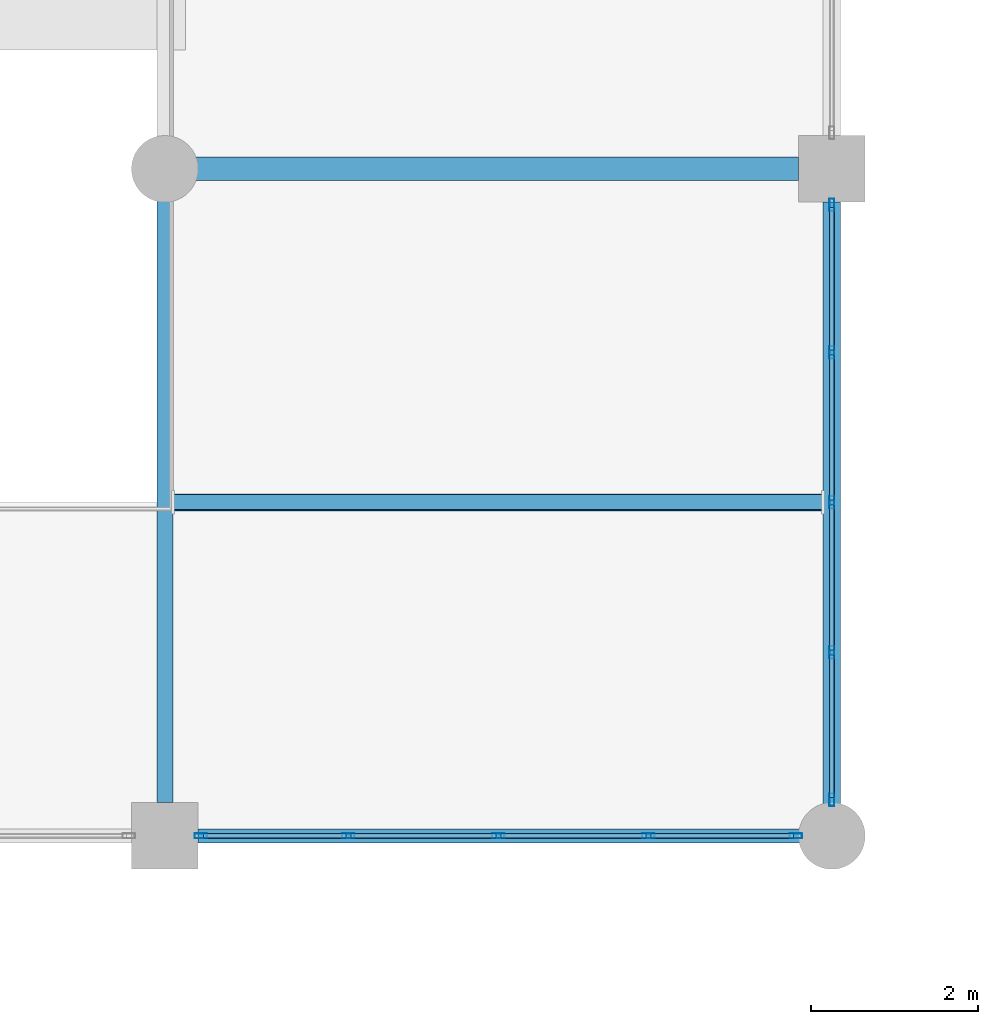
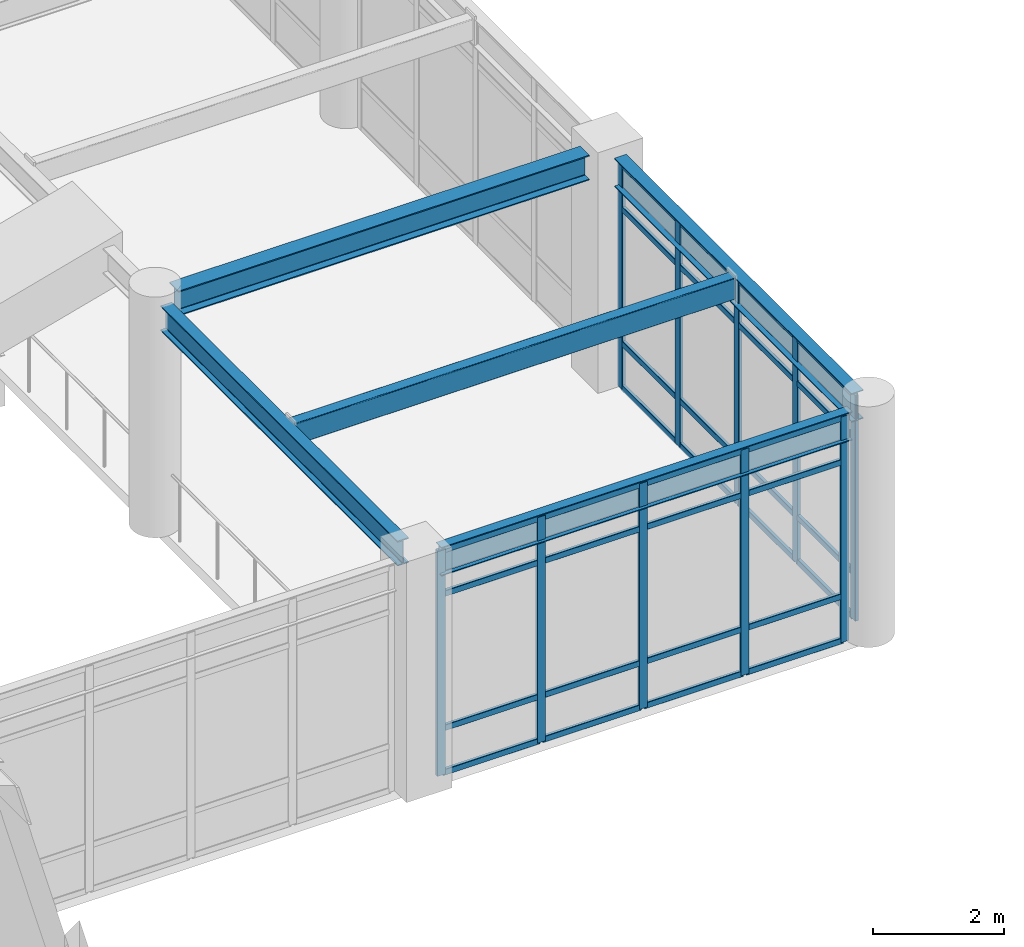
# One storey, part 29 of 93: 42 members, 5 beams, 2 elements without a shape of their own.
"""IFC4 building model written with IfcOpenShell, lengths in metres."""

from ifc_helpers import new_model, si_unit, direction, frame, origin, origin_2d, place, context, subcontext, project, spatial, hollow_rectangle, i_section, extrude, material, material_profile, profile_set, type_object, element, aggregate, save


model = new_model("IFC4")

# Units and contexts
model_context = context("Model", 3, precision=1e-05, world=origin(), true_north=direction((0.0, 1.0)))
body_context = subcontext(model_context, "Body", "Model", "MODEL_VIEW")
ifc_project = project(units=[si_unit("LENGTHUNIT", "METRE"), si_unit("AREAUNIT", "SQUARE_METRE"), si_unit("VOLUMEUNIT", "CUBIC_METRE"), si_unit("PLANEANGLEUNIT", "RADIAN"), si_unit("MASSUNIT", "GRAM", prefix="KILO")], contexts=[model_context])

# Site, building, storey
site_placement = place(None, origin())
site = spatial("IfcSite", under=ifc_project, at=site_placement, CompositionType="ELEMENT")
building_placement = place(site_placement, origin())
building = spatial("IfcBuilding", under=site, at=building_placement, Name="Solmirada Galleria", CompositionType="ELEMENT")
storey_placement = place(building_placement, frame((0.0, 0.0, 14.89990234375)))
storey = spatial("IfcBuildingStorey", under=building, at=storey_placement, Name="L03", CompositionType="ELEMENT", Elevation=14.89990234375)

# Beams
ifc_material_1 = material(Name="Steel S355 / ASTM A992 Grade 50", Category="steel")
ifc_material_profile_1 = material_profile(ifc_material_1, i_section(OverallWidth=0.281982421875, OverallDepth=0.467041015625, WebThickness=0.01220703125, FlangeThickness=0.01953125, FilletRadius=0.013916015625, at=origin_2d()), Name="W18X86")
ifc_profile_set_1 = profile_set([ifc_material_profile_1], Name="Steel S355 / ASTM A992 Grade 50")
beam_type_1 = type_object("IfcBeamType", Name="BM-GIRD-W18A", PredefinedType="BEAM", material=ifc_profile_set_1)
beam_1_placement = place(storey_placement, frame((104.3359375, 56.0, 4.066650390625), z_axis=(1.0, 0.0, 0.0), x_axis=(0.0, 1.0, 0.0)))
element("IfcBeam", 1, at=beam_1_placement, inside=storey, type_object=beam_type_1, Name="Primary beam L04 X(104..112, 56)", PredefinedType="BEAM", context=body_context, shape_type="SweptSolid", body=[
    extrude(i_section(OverallWidth=0.281982421875, OverallDepth=0.467041015625, WebThickness=0.01220703125, FlangeThickness=0.01953125, FilletRadius=0.013916015625, at=origin_2d()), origin(), (0.0, 0.0, 1.0), 7.26416015625),
])
ifc_material_profile_2 = material_profile(ifc_material_1, i_section(OverallWidth=0.194091796875, OverallDepth=0.468994140625, WebThickness=0.0126953125, FlangeThickness=0.0205078125, FilletRadius=0.013916015625, at=origin_2d()), Name="W18X71")
ifc_profile_set_2 = profile_set([ifc_material_profile_2], Name="Steel S355 / ASTM A992 Grade 50")
beam_type_2 = type_object("IfcBeamType", Name="BM-GIRD-W18B", PredefinedType="BEAM", material=ifc_profile_set_2)
beam_2_placement = place(storey_placement, frame((104.0, 48.39990234375, 4.065673828125), z_axis=(0.0, 1.0, 0.0), x_axis=(-1.0, 0.0, 0.0)))
element("IfcBeam", 2, at=beam_2_placement, inside=storey, type_object=beam_type_2, Name="Primary girder L04 Y(104, 48..56)", PredefinedType="BEAM", context=body_context, shape_type="SweptSolid", body=[
    extrude(i_section(OverallWidth=0.194091796875, OverallDepth=0.468994140625, WebThickness=0.0126953125, FlangeThickness=0.0205078125, FilletRadius=0.013916015625, at=origin_2d()), origin(), (0.0, 0.0, 1.0), 7.26416015625),
])
ifc_material_profile_3 = material_profile(ifc_material_1, i_section(OverallWidth=0.2099609375, OverallDepth=0.537109375, WebThickness=0.010986328125, FlangeThickness=0.017333984375, FilletRadius=0.014892578125, at=origin_2d()), Name="W21X68")
ifc_profile_set_3 = profile_set([ifc_material_profile_3], Name="Steel S355 / ASTM A992 Grade 50")
beam_type_3 = type_object("IfcBeamType", Name="BM-GIRD-W21B", PredefinedType="BEAM", material=ifc_profile_set_3)
beam_3_placement = place(storey_placement, frame((112.0, 48.3359375, 4.031494140625), z_axis=(0.0, 1.0, 0.0), x_axis=(-1.0, 0.0, 0.0)))
element("IfcBeam", 3, at=beam_3_placement, inside=storey, type_object=beam_type_3, Name="Primary girder L04 Y(112, 48..56)", PredefinedType="BEAM", context=body_context, shape_type="SweptSolid", body=[
    extrude(i_section(OverallWidth=0.2099609375, OverallDepth=0.537109375, WebThickness=0.010986328125, FlangeThickness=0.017333984375, FilletRadius=0.014892578125, at=origin_2d()), origin(), (0.0, 0.0, 1.0), 7.26416015625),
])
ifc_material_profile_4 = material_profile(ifc_material_1, i_section(OverallWidth=0.1669921875, OverallDepth=0.534912109375, WebThickness=0.01025390625, FlangeThickness=0.0166015625, FilletRadius=0.013916015625, at=origin_2d()), Name="W21X57")
ifc_profile_set_4 = profile_set([ifc_material_profile_4], Name="Steel S355 / ASTM A992 Grade 50")
beam_type_4 = type_object("IfcBeamType", Name="BM-GIRD-W21C", PredefinedType="BEAM", material=ifc_profile_set_4)
beam_4_placement = place(storey_placement, frame((104.39990234375, 48.0, 4.03271484375), z_axis=(1.0, 0.0, 0.0), x_axis=(0.0, 1.0, 0.0)))
element("IfcBeam", 4, at=beam_4_placement, inside=storey, type_object=beam_type_4, Name="Primary beam L04 X(104..112, 48)", PredefinedType="BEAM", context=body_context, shape_type="SweptSolid", body=[
    extrude(i_section(OverallWidth=0.1669921875, OverallDepth=0.534912109375, WebThickness=0.01025390625, FlangeThickness=0.0166015625, FilletRadius=0.013916015625, at=origin_2d()), origin(), (0.0, 0.0, 1.0), 7.26416015625),
])
ifc_material_2 = material(Name="Steel S355 / ASTM A500 Grade C", Category="steel")
ifc_material_profile_5 = material_profile(ifc_material_2, hollow_rectangle(XDim=0.202880859375, YDim=0.406005859375, WallThickness=0.01171875, InnerFilletRadius=0.01171875, OuterFilletRadius=0.023681640625, at=origin_2d()), Name="HSS16X8X1/2")
ifc_profile_set_5 = profile_set([ifc_material_profile_5], Name="Steel S355 / ASTM A500 Grade C")
beam_type_5 = type_object("IfcBeamType", Name="BM-JST-W16B", PredefinedType="JOIST", material=ifc_profile_set_5)
beam_5_placement = place(storey_placement, frame((104.096923828125, 52.0, 4.09716796875), z_axis=(1.0, 0.0, 0.0), x_axis=(0.0, 1.0, 0.0)))
element("IfcBeam", 5, at=beam_5_placement, inside=storey, type_object=beam_type_5, Name="Composite floor joist L04 (104..112, 52.0)", PredefinedType="JOIST", context=body_context, shape_type="SweptSolid", body=[
    extrude(hollow_rectangle(XDim=0.202880859375, YDim=0.406005859375, WallThickness=0.01171875, InnerFilletRadius=0.01171875, OuterFilletRadius=0.023681640625, at=origin_2d()), origin(), (0.0, 0.0, 1.0), 7.798095703125),
])

# Curtain wall, members
ifc_material_3 = material(Name="Impact-resistant low-E double glazing", Category="glass")
curtain_wall_type = type_object("IfcCurtainWallType", Name="CW-FZ3-L03-B4-L072", PredefinedType="NOTDEFINED", material=ifc_material_3)
curtain_wall_1_placement = place(storey_placement, origin())
curtain_wall_1 = element("IfcCurtainWall", 6, at=curtain_wall_1_placement, inside=storey, type_object=curtain_wall_type, Name="Terrace and arcade storefront CW-L03-133", PredefinedType="NOTDEFINED")
ifc_material_4 = material(Name="Anodised aluminium framing", Category="aluminium")
ifc_material_profile_6 = material_profile(ifc_material_4, hollow_rectangle(XDim=0.06005859375, YDim=0.14990234375, WallThickness=0.00341796875, InnerFilletRadius=0.00341796875, OuterFilletRadius=0.007080078125, at=origin_2d()), Name="ALU-MULL-150X60")
ifc_profile_set_6 = profile_set([ifc_material_profile_6], Name="Anodised aluminium framing")
member_type_1 = type_object("IfcMemberType", Name="CW-MULL-150", PredefinedType="MULLION", material=ifc_profile_set_6)
member_1_placement = place(storey_placement, frame((112.0, 55.568115234375, 0.0), z_axis=(0.0, 0.0, 1.0), x_axis=(1.0, 0.0, 0.0)))
member_1 = element("IfcMember", 7, at=member_1_placement, type_object=member_type_1, Name="CW27 mullion 1", PredefinedType="MULLION", context=body_context, shape_type="SweptSolid", body=[
    extrude(hollow_rectangle(XDim=0.06005859375, YDim=0.14990234375, WallThickness=0.00341796875, InnerFilletRadius=0.00341796875, OuterFilletRadius=0.007080078125, at=origin_2d()), origin(), (0.0, 0.0, 1.0), 4.22021484375),
])
member_2_placement = place(storey_placement, frame((112.0, 53.799072265625, 0.0), z_axis=(0.0, 0.0, 1.0), x_axis=(1.0, 0.0, 0.0)))
member_2 = element("IfcMember", 8, at=member_2_placement, type_object=member_type_1, Name="CW27 mullion 2", PredefinedType="MULLION", context=body_context, shape_type="SweptSolid", body=[
    extrude(hollow_rectangle(XDim=0.06005859375, YDim=0.14990234375, WallThickness=0.00341796875, InnerFilletRadius=0.00341796875, OuterFilletRadius=0.007080078125, at=origin_2d()), origin(), (0.0, 0.0, 1.0), 4.22021484375),
])
member_3_placement = place(storey_placement, frame((112.0, 52.0, 0.0), z_axis=(0.0, 0.0, 1.0), x_axis=(1.0, 0.0, 0.0)))
member_3 = element("IfcMember", 9, at=member_3_placement, type_object=member_type_1, Name="CW27 mullion 3", PredefinedType="MULLION", context=body_context, shape_type="SweptSolid", body=[
    extrude(hollow_rectangle(XDim=0.06005859375, YDim=0.14990234375, WallThickness=0.00341796875, InnerFilletRadius=0.00341796875, OuterFilletRadius=0.007080078125, at=origin_2d()), origin(), (0.0, 0.0, 1.0), 4.22021484375),
])
member_4_placement = place(storey_placement, frame((112.0, 50.200927734375, 0.0), z_axis=(0.0, 0.0, 1.0), x_axis=(1.0, 0.0, 0.0)))
member_4 = element("IfcMember", 10, at=member_4_placement, type_object=member_type_1, Name="CW27 mullion 4", PredefinedType="MULLION", context=body_context, shape_type="SweptSolid", body=[
    extrude(hollow_rectangle(XDim=0.06005859375, YDim=0.14990234375, WallThickness=0.00341796875, InnerFilletRadius=0.00341796875, OuterFilletRadius=0.007080078125, at=origin_2d()), origin(), (0.0, 0.0, 1.0), 4.22021484375),
])
member_5_placement = place(storey_placement, frame((112.0, 48.431884765625, 0.0), z_axis=(0.0, 0.0, 1.0), x_axis=(1.0, 0.0, 0.0)))
member_5 = element("IfcMember", 11, at=member_5_placement, type_object=member_type_1, Name="CW27 mullion 5", PredefinedType="MULLION", context=body_context, shape_type="SweptSolid", body=[
    extrude(hollow_rectangle(XDim=0.06005859375, YDim=0.14990234375, WallThickness=0.00341796875, InnerFilletRadius=0.00341796875, OuterFilletRadius=0.007080078125, at=origin_2d()), origin(), (0.0, 0.0, 1.0), 4.22021484375),
])

curtain_wall_2_placement = place(storey_placement, origin())
curtain_wall_2 = element("IfcCurtainWall", 12, at=curtain_wall_2_placement, inside=storey, type_object=curtain_wall_type, Name="Terrace and arcade storefront CW-L03-134", PredefinedType="NOTDEFINED")
member_6_placement = place(storey_placement, frame((111.568115234375, 48.0, 0.0), z_axis=(0.0, 0.0, 1.0), x_axis=(0.0, -1.0, 0.0)))
member_6 = element("IfcMember", 13, at=member_6_placement, type_object=member_type_1, Name="CW27 mullion 1", PredefinedType="MULLION", context=body_context, shape_type="SweptSolid", body=[
    extrude(hollow_rectangle(XDim=0.06005859375, YDim=0.14990234375, WallThickness=0.00341796875, InnerFilletRadius=0.00341796875, OuterFilletRadius=0.007080078125, at=origin_2d()), origin(), (0.0, 0.0, 1.0), 4.22021484375),
])
member_7_placement = place(storey_placement, frame((109.799072265625, 48.0, 0.0), z_axis=(0.0, 0.0, 1.0), x_axis=(0.0, -1.0, 0.0)))
member_7 = element("IfcMember", 14, at=member_7_placement, type_object=member_type_1, Name="CW27 mullion 2", PredefinedType="MULLION", context=body_context, shape_type="SweptSolid", body=[
    extrude(hollow_rectangle(XDim=0.06005859375, YDim=0.14990234375, WallThickness=0.00341796875, InnerFilletRadius=0.00341796875, OuterFilletRadius=0.007080078125, at=origin_2d()), origin(), (0.0, 0.0, 1.0), 4.22021484375),
])
member_8_placement = place(storey_placement, frame((108.0, 48.0, 0.0), z_axis=(0.0, 0.0, 1.0), x_axis=(0.0, -1.0, 0.0)))
member_8 = element("IfcMember", 15, at=member_8_placement, type_object=member_type_1, Name="CW27 mullion 3", PredefinedType="MULLION", context=body_context, shape_type="SweptSolid", body=[
    extrude(hollow_rectangle(XDim=0.06005859375, YDim=0.14990234375, WallThickness=0.00341796875, InnerFilletRadius=0.00341796875, OuterFilletRadius=0.007080078125, at=origin_2d()), origin(), (0.0, 0.0, 1.0), 4.22021484375),
])
member_9_placement = place(storey_placement, frame((106.200927734375, 48.0, 0.0), z_axis=(0.0, 0.0, 1.0), x_axis=(0.0, -1.0, 0.0)))
member_9 = element("IfcMember", 16, at=member_9_placement, type_object=member_type_1, Name="CW27 mullion 4", PredefinedType="MULLION", context=body_context, shape_type="SweptSolid", body=[
    extrude(hollow_rectangle(XDim=0.06005859375, YDim=0.14990234375, WallThickness=0.00341796875, InnerFilletRadius=0.00341796875, OuterFilletRadius=0.007080078125, at=origin_2d()), origin(), (0.0, 0.0, 1.0), 4.22021484375),
])
member_10_placement = place(storey_placement, frame((104.431884765625, 48.0, 0.0), z_axis=(0.0, 0.0, 1.0), x_axis=(0.0, -1.0, 0.0)))
member_10 = element("IfcMember", 17, at=member_10_placement, type_object=member_type_1, Name="CW27 mullion 5", PredefinedType="MULLION", context=body_context, shape_type="SweptSolid", body=[
    extrude(hollow_rectangle(XDim=0.06005859375, YDim=0.14990234375, WallThickness=0.00341796875, InnerFilletRadius=0.00341796875, OuterFilletRadius=0.007080078125, at=origin_2d()), origin(), (0.0, 0.0, 1.0), 4.22021484375),
])

# Member
ifc_material_profile_7 = material_profile(ifc_material_4, hollow_rectangle(XDim=0.06005859375, YDim=0.110107421875, WallThickness=0.003173828125, InnerFilletRadius=0.003173828125, OuterFilletRadius=0.00634765625, at=origin_2d()), Name="ALU-TRAN-110X60")
ifc_profile_set_7 = profile_set([ifc_material_profile_7], Name="Anodised aluminium framing")
member_type_2 = type_object("IfcMemberType", Name="CW-TRAN-110", PredefinedType="USERDEFINED", material=ifc_profile_set_7)
member_11_placement = place(storey_placement, frame((112.0, 55.5380859375, 0.030029296875), z_axis=(0.0, -1.0, 0.0), x_axis=(1.0, 0.0, 0.0)))
member_11 = element("IfcMember", 18, at=member_11_placement, type_object=member_type_2, Name="CW27 transom 1.1", ObjectType="TRANSOM", PredefinedType="USERDEFINED", context=body_context, shape_type="SweptSolid", body=[
    extrude(hollow_rectangle(XDim=0.06005859375, YDim=0.110107421875, WallThickness=0.003173828125, InnerFilletRadius=0.003173828125, OuterFilletRadius=0.00634765625, at=origin_2d()), origin(), (0.0, 0.0, 1.0), 1.708984375),
])

member_12_placement = place(storey_placement, frame((112.0, 55.5380859375, 0.860107421875), z_axis=(0.0, -1.0, 0.0), x_axis=(1.0, 0.0, 0.0)))
member_12 = element("IfcMember", 19, at=member_12_placement, type_object=member_type_2, Name="CW27 transom 1.2", ObjectType="TRANSOM", PredefinedType="USERDEFINED", context=body_context, shape_type="SweptSolid", body=[
    extrude(hollow_rectangle(XDim=0.06005859375, YDim=0.110107421875, WallThickness=0.003173828125, InnerFilletRadius=0.003173828125, OuterFilletRadius=0.00634765625, at=origin_2d()), origin(), (0.0, 0.0, 1.0), 1.708984375),
])

member_13_placement = place(storey_placement, frame((112.0, 55.5380859375, 3.3701171875), z_axis=(0.0, -1.0, 0.0), x_axis=(1.0, 0.0, 0.0)))
member_13 = element("IfcMember", 20, at=member_13_placement, type_object=member_type_2, Name="CW27 transom 1.3", ObjectType="TRANSOM", PredefinedType="USERDEFINED", context=body_context, shape_type="SweptSolid", body=[
    extrude(hollow_rectangle(XDim=0.06005859375, YDim=0.110107421875, WallThickness=0.003173828125, InnerFilletRadius=0.003173828125, OuterFilletRadius=0.00634765625, at=origin_2d()), origin(), (0.0, 0.0, 1.0), 1.708984375),
])

member_14_placement = place(storey_placement, frame((112.0, 55.5380859375, 4.190185546875), z_axis=(0.0, -1.0, 0.0), x_axis=(1.0, 0.0, 0.0)))
member_14 = element("IfcMember", 21, at=member_14_placement, type_object=member_type_2, Name="CW27 transom 1.4", ObjectType="TRANSOM", PredefinedType="USERDEFINED", context=body_context, shape_type="SweptSolid", body=[
    extrude(hollow_rectangle(XDim=0.06005859375, YDim=0.110107421875, WallThickness=0.003173828125, InnerFilletRadius=0.003173828125, OuterFilletRadius=0.00634765625, at=origin_2d()), origin(), (0.0, 0.0, 1.0), 1.708984375),
])

member_15_placement = place(storey_placement, frame((112.0, 53.76904296875, 0.030029296875), z_axis=(0.0, -1.0, 0.0), x_axis=(1.0, 0.0, 0.0)))
member_15 = element("IfcMember", 22, at=member_15_placement, type_object=member_type_2, Name="CW27 transom 2.1", ObjectType="TRANSOM", PredefinedType="USERDEFINED", context=body_context, shape_type="SweptSolid", body=[
    extrude(hollow_rectangle(XDim=0.06005859375, YDim=0.110107421875, WallThickness=0.003173828125, InnerFilletRadius=0.003173828125, OuterFilletRadius=0.00634765625, at=origin_2d()), origin(), (0.0, 0.0, 1.0), 1.739013671875),
])

member_16_placement = place(storey_placement, frame((112.0, 53.76904296875, 0.860107421875), z_axis=(0.0, -1.0, 0.0), x_axis=(1.0, 0.0, 0.0)))
member_16 = element("IfcMember", 23, at=member_16_placement, type_object=member_type_2, Name="CW27 transom 2.2", ObjectType="TRANSOM", PredefinedType="USERDEFINED", context=body_context, shape_type="SweptSolid", body=[
    extrude(hollow_rectangle(XDim=0.06005859375, YDim=0.110107421875, WallThickness=0.003173828125, InnerFilletRadius=0.003173828125, OuterFilletRadius=0.00634765625, at=origin_2d()), origin(), (0.0, 0.0, 1.0), 1.739013671875),
])

member_17_placement = place(storey_placement, frame((112.0, 53.76904296875, 3.3701171875), z_axis=(0.0, -1.0, 0.0), x_axis=(1.0, 0.0, 0.0)))
member_17 = element("IfcMember", 24, at=member_17_placement, type_object=member_type_2, Name="CW27 transom 2.3", ObjectType="TRANSOM", PredefinedType="USERDEFINED", context=body_context, shape_type="SweptSolid", body=[
    extrude(hollow_rectangle(XDim=0.06005859375, YDim=0.110107421875, WallThickness=0.003173828125, InnerFilletRadius=0.003173828125, OuterFilletRadius=0.00634765625, at=origin_2d()), origin(), (0.0, 0.0, 1.0), 1.739013671875),
])

member_18_placement = place(storey_placement, frame((112.0, 53.76904296875, 4.190185546875), z_axis=(0.0, -1.0, 0.0), x_axis=(1.0, 0.0, 0.0)))
member_18 = element("IfcMember", 25, at=member_18_placement, type_object=member_type_2, Name="CW27 transom 2.4", ObjectType="TRANSOM", PredefinedType="USERDEFINED", context=body_context, shape_type="SweptSolid", body=[
    extrude(hollow_rectangle(XDim=0.06005859375, YDim=0.110107421875, WallThickness=0.003173828125, InnerFilletRadius=0.003173828125, OuterFilletRadius=0.00634765625, at=origin_2d()), origin(), (0.0, 0.0, 1.0), 1.739013671875),
])

member_19_placement = place(storey_placement, frame((112.0, 51.969970703125, 0.030029296875), z_axis=(0.0, -1.0, 0.0), x_axis=(1.0, 0.0, 0.0)))
member_19 = element("IfcMember", 26, at=member_19_placement, type_object=member_type_2, Name="CW27 transom 3.1", ObjectType="TRANSOM", PredefinedType="USERDEFINED", context=body_context, shape_type="SweptSolid", body=[
    extrude(hollow_rectangle(XDim=0.06005859375, YDim=0.110107421875, WallThickness=0.003173828125, InnerFilletRadius=0.003173828125, OuterFilletRadius=0.00634765625, at=origin_2d()), origin(), (0.0, 0.0, 1.0), 1.739013671875),
])

member_20_placement = place(storey_placement, frame((112.0, 51.969970703125, 0.860107421875), z_axis=(0.0, -1.0, 0.0), x_axis=(1.0, 0.0, 0.0)))
member_20 = element("IfcMember", 27, at=member_20_placement, type_object=member_type_2, Name="CW27 transom 3.2", ObjectType="TRANSOM", PredefinedType="USERDEFINED", context=body_context, shape_type="SweptSolid", body=[
    extrude(hollow_rectangle(XDim=0.06005859375, YDim=0.110107421875, WallThickness=0.003173828125, InnerFilletRadius=0.003173828125, OuterFilletRadius=0.00634765625, at=origin_2d()), origin(), (0.0, 0.0, 1.0), 1.739013671875),
])

member_21_placement = place(storey_placement, frame((112.0, 51.969970703125, 3.3701171875), z_axis=(0.0, -1.0, 0.0), x_axis=(1.0, 0.0, 0.0)))
member_21 = element("IfcMember", 28, at=member_21_placement, type_object=member_type_2, Name="CW27 transom 3.3", ObjectType="TRANSOM", PredefinedType="USERDEFINED", context=body_context, shape_type="SweptSolid", body=[
    extrude(hollow_rectangle(XDim=0.06005859375, YDim=0.110107421875, WallThickness=0.003173828125, InnerFilletRadius=0.003173828125, OuterFilletRadius=0.00634765625, at=origin_2d()), origin(), (0.0, 0.0, 1.0), 1.739013671875),
])

member_22_placement = place(storey_placement, frame((112.0, 51.969970703125, 4.190185546875), z_axis=(0.0, -1.0, 0.0), x_axis=(1.0, 0.0, 0.0)))
member_22 = element("IfcMember", 29, at=member_22_placement, type_object=member_type_2, Name="CW27 transom 3.4", ObjectType="TRANSOM", PredefinedType="USERDEFINED", context=body_context, shape_type="SweptSolid", body=[
    extrude(hollow_rectangle(XDim=0.06005859375, YDim=0.110107421875, WallThickness=0.003173828125, InnerFilletRadius=0.003173828125, OuterFilletRadius=0.00634765625, at=origin_2d()), origin(), (0.0, 0.0, 1.0), 1.739013671875),
])

member_23_placement = place(storey_placement, frame((112.0, 50.1708984375, 0.030029296875), z_axis=(0.0, -1.0, 0.0), x_axis=(1.0, 0.0, 0.0)))
member_23 = element("IfcMember", 30, at=member_23_placement, type_object=member_type_2, Name="CW27 transom 4.1", ObjectType="TRANSOM", PredefinedType="USERDEFINED", context=body_context, shape_type="SweptSolid", body=[
    extrude(hollow_rectangle(XDim=0.06005859375, YDim=0.110107421875, WallThickness=0.003173828125, InnerFilletRadius=0.003173828125, OuterFilletRadius=0.00634765625, at=origin_2d()), origin(), (0.0, 0.0, 1.0), 1.708984375),
])

member_24_placement = place(storey_placement, frame((112.0, 50.1708984375, 0.860107421875), z_axis=(0.0, -1.0, 0.0), x_axis=(1.0, 0.0, 0.0)))
member_24 = element("IfcMember", 31, at=member_24_placement, type_object=member_type_2, Name="CW27 transom 4.2", ObjectType="TRANSOM", PredefinedType="USERDEFINED", context=body_context, shape_type="SweptSolid", body=[
    extrude(hollow_rectangle(XDim=0.06005859375, YDim=0.110107421875, WallThickness=0.003173828125, InnerFilletRadius=0.003173828125, OuterFilletRadius=0.00634765625, at=origin_2d()), origin(), (0.0, 0.0, 1.0), 1.708984375),
])

member_25_placement = place(storey_placement, frame((112.0, 50.1708984375, 3.3701171875), z_axis=(0.0, -1.0, 0.0), x_axis=(1.0, 0.0, 0.0)))
member_25 = element("IfcMember", 32, at=member_25_placement, type_object=member_type_2, Name="CW27 transom 4.3", ObjectType="TRANSOM", PredefinedType="USERDEFINED", context=body_context, shape_type="SweptSolid", body=[
    extrude(hollow_rectangle(XDim=0.06005859375, YDim=0.110107421875, WallThickness=0.003173828125, InnerFilletRadius=0.003173828125, OuterFilletRadius=0.00634765625, at=origin_2d()), origin(), (0.0, 0.0, 1.0), 1.708984375),
])

member_26_placement = place(storey_placement, frame((112.0, 50.1708984375, 4.190185546875), z_axis=(0.0, -1.0, 0.0), x_axis=(1.0, 0.0, 0.0)))
member_26 = element("IfcMember", 33, at=member_26_placement, type_object=member_type_2, Name="CW27 transom 4.4", ObjectType="TRANSOM", PredefinedType="USERDEFINED", context=body_context, shape_type="SweptSolid", body=[
    extrude(hollow_rectangle(XDim=0.06005859375, YDim=0.110107421875, WallThickness=0.003173828125, InnerFilletRadius=0.003173828125, OuterFilletRadius=0.00634765625, at=origin_2d()), origin(), (0.0, 0.0, 1.0), 1.708984375),
])

aggregate(curtain_wall_1, [member_1, member_2, member_3, member_4, member_5, member_11, member_12, member_13, member_14, member_15, member_16, member_17, member_18, member_19, member_20, member_21, member_22, member_23, member_24, member_25, member_26])

member_27_placement = place(storey_placement, frame((111.5380859375, 48.0, 0.030029296875), z_axis=(-1.0, 0.0, 0.0), x_axis=(0.0, -1.0, 0.0)))
member_27 = element("IfcMember", 34, at=member_27_placement, type_object=member_type_2, Name="CW27 transom 1.1", ObjectType="TRANSOM", PredefinedType="USERDEFINED", context=body_context, shape_type="SweptSolid", body=[
    extrude(hollow_rectangle(XDim=0.06005859375, YDim=0.110107421875, WallThickness=0.003173828125, InnerFilletRadius=0.003173828125, OuterFilletRadius=0.00634765625, at=origin_2d()), origin(), (0.0, 0.0, 1.0), 1.708984375),
])

member_28_placement = place(storey_placement, frame((111.5380859375, 48.0, 0.860107421875), z_axis=(-1.0, 0.0, 0.0), x_axis=(0.0, -1.0, 0.0)))
member_28 = element("IfcMember", 35, at=member_28_placement, type_object=member_type_2, Name="CW27 transom 1.2", ObjectType="TRANSOM", PredefinedType="USERDEFINED", context=body_context, shape_type="SweptSolid", body=[
    extrude(hollow_rectangle(XDim=0.06005859375, YDim=0.110107421875, WallThickness=0.003173828125, InnerFilletRadius=0.003173828125, OuterFilletRadius=0.00634765625, at=origin_2d()), origin(), (0.0, 0.0, 1.0), 1.708984375),
])

member_29_placement = place(storey_placement, frame((111.5380859375, 48.0, 3.3701171875), z_axis=(-1.0, 0.0, 0.0), x_axis=(0.0, -1.0, 0.0)))
member_29 = element("IfcMember", 36, at=member_29_placement, type_object=member_type_2, Name="CW27 transom 1.3", ObjectType="TRANSOM", PredefinedType="USERDEFINED", context=body_context, shape_type="SweptSolid", body=[
    extrude(hollow_rectangle(XDim=0.06005859375, YDim=0.110107421875, WallThickness=0.003173828125, InnerFilletRadius=0.003173828125, OuterFilletRadius=0.00634765625, at=origin_2d()), origin(), (0.0, 0.0, 1.0), 1.708984375),
])

member_30_placement = place(storey_placement, frame((111.5380859375, 48.0, 4.190185546875), z_axis=(-1.0, 0.0, 0.0), x_axis=(0.0, -1.0, 0.0)))
member_30 = element("IfcMember", 37, at=member_30_placement, type_object=member_type_2, Name="CW27 transom 1.4", ObjectType="TRANSOM", PredefinedType="USERDEFINED", context=body_context, shape_type="SweptSolid", body=[
    extrude(hollow_rectangle(XDim=0.06005859375, YDim=0.110107421875, WallThickness=0.003173828125, InnerFilletRadius=0.003173828125, OuterFilletRadius=0.00634765625, at=origin_2d()), origin(), (0.0, 0.0, 1.0), 1.708984375),
])

member_31_placement = place(storey_placement, frame((109.76904296875, 48.0, 0.030029296875), z_axis=(-1.0, 0.0, 0.0), x_axis=(0.0, -1.0, 0.0)))
member_31 = element("IfcMember", 38, at=member_31_placement, type_object=member_type_2, Name="CW27 transom 2.1", ObjectType="TRANSOM", PredefinedType="USERDEFINED", context=body_context, shape_type="SweptSolid", body=[
    extrude(hollow_rectangle(XDim=0.06005859375, YDim=0.110107421875, WallThickness=0.003173828125, InnerFilletRadius=0.003173828125, OuterFilletRadius=0.00634765625, at=origin_2d()), origin(), (0.0, 0.0, 1.0), 1.739013671875),
])

member_32_placement = place(storey_placement, frame((109.76904296875, 48.0, 0.860107421875), z_axis=(-1.0, 0.0, 0.0), x_axis=(0.0, -1.0, 0.0)))
member_32 = element("IfcMember", 39, at=member_32_placement, type_object=member_type_2, Name="CW27 transom 2.2", ObjectType="TRANSOM", PredefinedType="USERDEFINED", context=body_context, shape_type="SweptSolid", body=[
    extrude(hollow_rectangle(XDim=0.06005859375, YDim=0.110107421875, WallThickness=0.003173828125, InnerFilletRadius=0.003173828125, OuterFilletRadius=0.00634765625, at=origin_2d()), origin(), (0.0, 0.0, 1.0), 1.739013671875),
])

member_33_placement = place(storey_placement, frame((109.76904296875, 48.0, 3.3701171875), z_axis=(-1.0, 0.0, 0.0), x_axis=(0.0, -1.0, 0.0)))
member_33 = element("IfcMember", 40, at=member_33_placement, type_object=member_type_2, Name="CW27 transom 2.3", ObjectType="TRANSOM", PredefinedType="USERDEFINED", context=body_context, shape_type="SweptSolid", body=[
    extrude(hollow_rectangle(XDim=0.06005859375, YDim=0.110107421875, WallThickness=0.003173828125, InnerFilletRadius=0.003173828125, OuterFilletRadius=0.00634765625, at=origin_2d()), origin(), (0.0, 0.0, 1.0), 1.739013671875),
])

member_34_placement = place(storey_placement, frame((109.76904296875, 48.0, 4.190185546875), z_axis=(-1.0, 0.0, 0.0), x_axis=(0.0, -1.0, 0.0)))
member_34 = element("IfcMember", 41, at=member_34_placement, type_object=member_type_2, Name="CW27 transom 2.4", ObjectType="TRANSOM", PredefinedType="USERDEFINED", context=body_context, shape_type="SweptSolid", body=[
    extrude(hollow_rectangle(XDim=0.06005859375, YDim=0.110107421875, WallThickness=0.003173828125, InnerFilletRadius=0.003173828125, OuterFilletRadius=0.00634765625, at=origin_2d()), origin(), (0.0, 0.0, 1.0), 1.739013671875),
])

member_35_placement = place(storey_placement, frame((107.969970703125, 48.0, 0.030029296875), z_axis=(-1.0, 0.0, 0.0), x_axis=(0.0, -1.0, 0.0)))
member_35 = element("IfcMember", 42, at=member_35_placement, type_object=member_type_2, Name="CW27 transom 3.1", ObjectType="TRANSOM", PredefinedType="USERDEFINED", context=body_context, shape_type="SweptSolid", body=[
    extrude(hollow_rectangle(XDim=0.06005859375, YDim=0.110107421875, WallThickness=0.003173828125, InnerFilletRadius=0.003173828125, OuterFilletRadius=0.00634765625, at=origin_2d()), origin(), (0.0, 0.0, 1.0), 1.739013671875),
])

member_36_placement = place(storey_placement, frame((107.969970703125, 48.0, 0.860107421875), z_axis=(-1.0, 0.0, 0.0), x_axis=(0.0, -1.0, 0.0)))
member_36 = element("IfcMember", 43, at=member_36_placement, type_object=member_type_2, Name="CW27 transom 3.2", ObjectType="TRANSOM", PredefinedType="USERDEFINED", context=body_context, shape_type="SweptSolid", body=[
    extrude(hollow_rectangle(XDim=0.06005859375, YDim=0.110107421875, WallThickness=0.003173828125, InnerFilletRadius=0.003173828125, OuterFilletRadius=0.00634765625, at=origin_2d()), origin(), (0.0, 0.0, 1.0), 1.739013671875),
])

member_37_placement = place(storey_placement, frame((107.969970703125, 48.0, 3.3701171875), z_axis=(-1.0, 0.0, 0.0), x_axis=(0.0, -1.0, 0.0)))
member_37 = element("IfcMember", 44, at=member_37_placement, type_object=member_type_2, Name="CW27 transom 3.3", ObjectType="TRANSOM", PredefinedType="USERDEFINED", context=body_context, shape_type="SweptSolid", body=[
    extrude(hollow_rectangle(XDim=0.06005859375, YDim=0.110107421875, WallThickness=0.003173828125, InnerFilletRadius=0.003173828125, OuterFilletRadius=0.00634765625, at=origin_2d()), origin(), (0.0, 0.0, 1.0), 1.739013671875),
])

member_38_placement = place(storey_placement, frame((107.969970703125, 48.0, 4.190185546875), z_axis=(-1.0, 0.0, 0.0), x_axis=(0.0, -1.0, 0.0)))
member_38 = element("IfcMember", 45, at=member_38_placement, type_object=member_type_2, Name="CW27 transom 3.4", ObjectType="TRANSOM", PredefinedType="USERDEFINED", context=body_context, shape_type="SweptSolid", body=[
    extrude(hollow_rectangle(XDim=0.06005859375, YDim=0.110107421875, WallThickness=0.003173828125, InnerFilletRadius=0.003173828125, OuterFilletRadius=0.00634765625, at=origin_2d()), origin(), (0.0, 0.0, 1.0), 1.739013671875),
])

member_39_placement = place(storey_placement, frame((106.1708984375, 48.0, 0.030029296875), z_axis=(-1.0, 0.0, 0.0), x_axis=(0.0, -1.0, 0.0)))
member_39 = element("IfcMember", 46, at=member_39_placement, type_object=member_type_2, Name="CW27 transom 4.1", ObjectType="TRANSOM", PredefinedType="USERDEFINED", context=body_context, shape_type="SweptSolid", body=[
    extrude(hollow_rectangle(XDim=0.06005859375, YDim=0.110107421875, WallThickness=0.003173828125, InnerFilletRadius=0.003173828125, OuterFilletRadius=0.00634765625, at=origin_2d()), origin(), (0.0, 0.0, 1.0), 1.708984375),
])

member_40_placement = place(storey_placement, frame((106.1708984375, 48.0, 0.860107421875), z_axis=(-1.0, 0.0, 0.0), x_axis=(0.0, -1.0, 0.0)))
member_40 = element("IfcMember", 47, at=member_40_placement, type_object=member_type_2, Name="CW27 transom 4.2", ObjectType="TRANSOM", PredefinedType="USERDEFINED", context=body_context, shape_type="SweptSolid", body=[
    extrude(hollow_rectangle(XDim=0.06005859375, YDim=0.110107421875, WallThickness=0.003173828125, InnerFilletRadius=0.003173828125, OuterFilletRadius=0.00634765625, at=origin_2d()), origin(), (0.0, 0.0, 1.0), 1.708984375),
])

member_41_placement = place(storey_placement, frame((106.1708984375, 48.0, 3.3701171875), z_axis=(-1.0, 0.0, 0.0), x_axis=(0.0, -1.0, 0.0)))
member_41 = element("IfcMember", 48, at=member_41_placement, type_object=member_type_2, Name="CW27 transom 4.3", ObjectType="TRANSOM", PredefinedType="USERDEFINED", context=body_context, shape_type="SweptSolid", body=[
    extrude(hollow_rectangle(XDim=0.06005859375, YDim=0.110107421875, WallThickness=0.003173828125, InnerFilletRadius=0.003173828125, OuterFilletRadius=0.00634765625, at=origin_2d()), origin(), (0.0, 0.0, 1.0), 1.708984375),
])

member_42_placement = place(storey_placement, frame((106.1708984375, 48.0, 4.190185546875), z_axis=(-1.0, 0.0, 0.0), x_axis=(0.0, -1.0, 0.0)))
member_42 = element("IfcMember", 49, at=member_42_placement, type_object=member_type_2, Name="CW27 transom 4.4", ObjectType="TRANSOM", PredefinedType="USERDEFINED", context=body_context, shape_type="SweptSolid", body=[
    extrude(hollow_rectangle(XDim=0.06005859375, YDim=0.110107421875, WallThickness=0.003173828125, InnerFilletRadius=0.003173828125, OuterFilletRadius=0.00634765625, at=origin_2d()), origin(), (0.0, 0.0, 1.0), 1.708984375),
])

aggregate(curtain_wall_2, [member_6, member_7, member_8, member_9, member_10, member_27, member_28, member_29, member_30, member_31, member_32, member_33, member_34, member_35, member_36, member_37, member_38, member_39, member_40, member_41, member_42])

save(model, "model.ifc")
